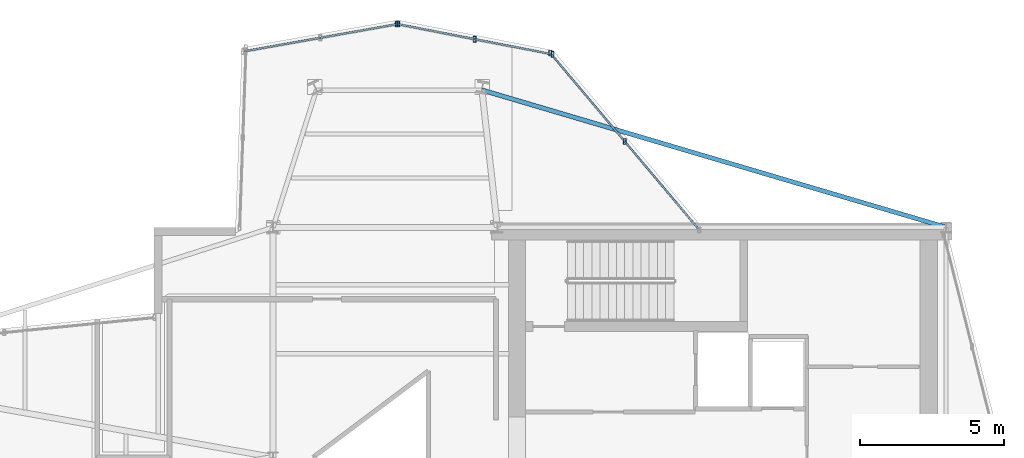
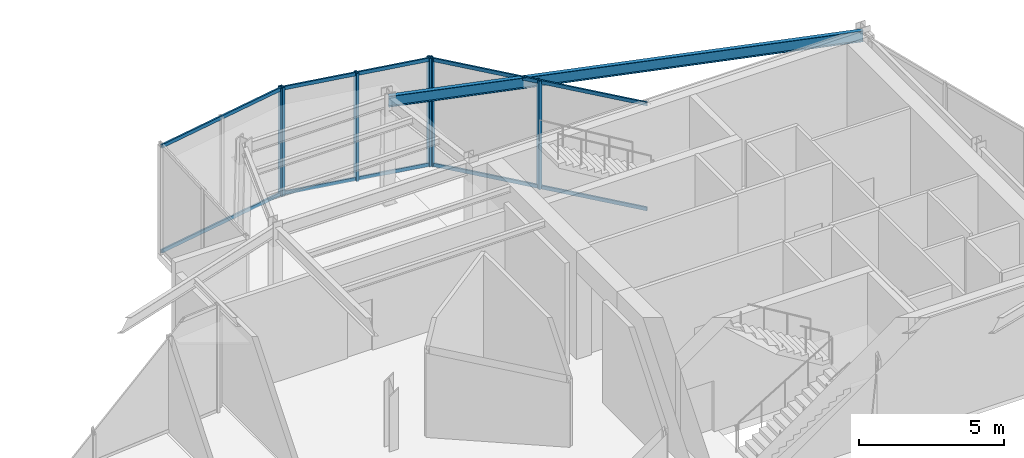
# One storey, part 7 of 15: 12 members, 1 beam, 3 elements without a shape of their own.
"""IFC4 building model written with IfcOpenShell, lengths in metres."""

from ifc_helpers import new_model, si_unit, direction, frame, origin, origin_2d, place, context, subcontext, project, spatial, hollow_rectangle, i_section, extrude, material, layer, layer_set, material_profile, profile_set, type_object, element, aggregate, save


model = new_model("IFC4")

# Units and contexts
model_context = context("Model", 3, precision=1e-05, world=origin(), true_north=direction((0.0, 1.0)))
body_context = subcontext(model_context, "Body", "Model", "MODEL_VIEW")
ifc_project = project(units=[si_unit("LENGTHUNIT", "METRE"), si_unit("AREAUNIT", "SQUARE_METRE"), si_unit("VOLUMEUNIT", "CUBIC_METRE"), si_unit("PLANEANGLEUNIT", "RADIAN"), si_unit("MASSUNIT", "GRAM", prefix="KILO")], contexts=[model_context])

# Site, building, storey
site_placement = place(None, origin())
site = spatial("IfcSite", under=ifc_project, at=site_placement, CompositionType="ELEMENT")
building_placement = place(site_placement, origin())
building = spatial("IfcBuilding", under=site, at=building_placement, Name="Veymaron Broadcast Tower", CompositionType="ELEMENT")
storey_placement = place(building_placement, frame((0.0, 0.0, 262.050048828125)))
storey = spatial("IfcBuildingStorey", under=building, at=storey_placement, Name="L61", CompositionType="ELEMENT", Elevation=262.050048828125)

# Beam
ifc_material_1 = material(Name="Structural steel ASTM A992 Gr 50", Category="steel")
ifc_material_profile_1 = material_profile(ifc_material_1, i_section(OverallWidth=0.154052734375, OverallDepth=0.458984375, WebThickness=0.009033203125, FlangeThickness=0.015380859375, at=origin_2d()), Name="W460X68")
ifc_profile_set_1 = profile_set([ifc_material_profile_1], Name="Structural steel ASTM A992 Gr 50")
beam_type = type_object("IfcBeamType", Name="BM-SP2", PredefinedType="SPANDREL", material=ifc_profile_set_1)
beam_placement = place(storey_placement, frame((54.60009765625, 32.0, 4.33056640625), z_axis=(-0.958955148663, 0.283557794556, 0.0), x_axis=(-0.283557794556, -0.958955148663, 0.0)))
element("IfcBeam", 1, at=beam_placement, inside=storey, type_object=beam_type, Name="L61 primary structural floor girder", PredefinedType="SPANDREL", context=body_context, shape_type="SweptSolid", body=[
    extrude(i_section(OverallWidth=0.154052734375, OverallDepth=0.458984375, WebThickness=0.009033203125, FlangeThickness=0.015380859375, at=origin_2d()), origin(), (0.0, 0.0, 1.0), 16.828857421875),
])

# Curtain wall, members
ifc_material_2 = material(Name="Anodised aluminium AA 6063-T6 and laminated low-E dark glass", Category="aluminium")
ifc_layer = layer(ifc_material_2, 0.179931640625)
ifc_layer_set = layer_set([ifc_layer], Name="Anodised aluminium AA 6063-T6 and laminated low-E dark glass")
curtain_wall_type = type_object("IfcCurtainWallType", Name="CW-SYS-04", PredefinedType="NOTDEFINED", material=ifc_layer_set)
curtain_wall_1_placement = place(storey_placement, origin())
curtain_wall_1 = element("IfcCurtainWall", 2, at=curtain_wall_1_placement, inside=storey, type_object=curtain_wall_type, Name="L61 dark-glass curtain wall CW-L61-E5-1", PredefinedType="NOTDEFINED")
ifc_material_3 = material(Name="Anodised aluminium AA 6063-T6", Category="aluminium")
ifc_material_profile_2 = material_profile(ifc_material_3, hollow_rectangle(XDim=0.10009765625, YDim=0.199951171875, WallThickness=0.010009765625, at=origin_2d()), Name="RHS200X100X10")
ifc_profile_set_2 = profile_set([ifc_material_profile_2], Name="Anodised aluminium AA 6063-T6")
member_type_1 = type_object("IfcMemberType", Name="CW-MUL-01", PredefinedType="MULLION", material=ifc_profile_set_2)
member_1_placement = place(storey_placement, frame((43.4267578125, 34.98583984375, 0.0), z_axis=(0.0, 0.0, 1.0), x_axis=(1.0, 0.0, 0.0)))
member_1 = element("IfcMember", 3, at=member_1_placement, type_object=member_type_1, Name="CW-L61-E5-1 mullion 1", PredefinedType="MULLION", context=body_context, shape_type="SweptSolid", body=[
    extrude(hollow_rectangle(XDim=0.10009765625, YDim=0.199951171875, WallThickness=0.010009765625, at=origin_2d()), origin(), (0.0, 0.0, 1.0), 4.56005859375),
])
member_2_placement = place(storey_placement, frame((40.834716796875, 38.061767578125, 0.0), z_axis=(0.0, 0.0, 1.0), x_axis=(1.0, 0.0, 0.0)))
member_2 = element("IfcMember", 4, at=member_2_placement, type_object=member_type_1, Name="CW-L61-E5-1 mullion 2", PredefinedType="MULLION", context=body_context, shape_type="SweptSolid", body=[
    extrude(hollow_rectangle(XDim=0.10009765625, YDim=0.199951171875, WallThickness=0.010009765625, at=origin_2d()), origin(), (0.0, 0.0, 1.0), 4.56005859375),
])

curtain_wall_2_placement = place(storey_placement, origin())
curtain_wall_2 = element("IfcCurtainWall", 5, at=curtain_wall_2_placement, inside=storey, type_object=curtain_wall_type, Name="L61 dark-glass curtain wall CW-L61-E6-1", PredefinedType="NOTDEFINED")
member_3_placement = place(storey_placement, frame((40.9150390625, 38.0146484375, 0.0), z_axis=(0.0, 0.0, 1.0), x_axis=(1.0, 0.0, 0.0)))
member_3 = element("IfcMember", 6, at=member_3_placement, type_object=member_type_1, Name="CW-L61-E6-1 mullion 0", PredefinedType="MULLION", context=body_context, shape_type="SweptSolid", body=[
    extrude(hollow_rectangle(XDim=0.10009765625, YDim=0.199951171875, WallThickness=0.010009765625, at=origin_2d()), origin(), (0.0, 0.0, 1.0), 4.56005859375),
])
member_4_placement = place(storey_placement, frame((38.2080078125, 38.54248046875, 0.0), z_axis=(0.0, 0.0, 1.0), x_axis=(1.0, 0.0, 0.0)))
member_4 = element("IfcMember", 7, at=member_4_placement, type_object=member_type_1, Name="CW-L61-E6-1 mullion 1", PredefinedType="MULLION", context=body_context, shape_type="SweptSolid", body=[
    extrude(hollow_rectangle(XDim=0.10009765625, YDim=0.199951171875, WallThickness=0.010009765625, at=origin_2d()), origin(), (0.0, 0.0, 1.0), 4.56005859375),
])
member_5_placement = place(storey_placement, frame((35.501220703125, 39.070556640625, 0.0), z_axis=(0.0, 0.0, 1.0), x_axis=(1.0, 0.0, 0.0)))
member_5 = element("IfcMember", 8, at=member_5_placement, type_object=member_type_1, Name="CW-L61-E6-1 mullion 2", PredefinedType="MULLION", context=body_context, shape_type="SweptSolid", body=[
    extrude(hollow_rectangle(XDim=0.10009765625, YDim=0.199951171875, WallThickness=0.010009765625, at=origin_2d()), origin(), (0.0, 0.0, 1.0), 4.56005859375),
])

# Curtain wall, member
curtain_wall_3_placement = place(storey_placement, origin())
curtain_wall_3 = element("IfcCurtainWall", 9, at=curtain_wall_3_placement, inside=storey, type_object=curtain_wall_type, Name="L61 dark-glass curtain wall CW-L61-E7-1", PredefinedType="NOTDEFINED")
member_6_placement = place(storey_placement, frame((35.552490234375, 39.0703125, 0.0), z_axis=(0.0, 0.0, 1.0), x_axis=(1.0, 0.0, 0.0)))
member_6 = element("IfcMember", 10, at=member_6_placement, type_object=member_type_1, Name="CW-L61-E7-1 mullion 0", PredefinedType="MULLION", context=body_context, shape_type="SweptSolid", body=[
    extrude(hollow_rectangle(XDim=0.10009765625, YDim=0.199951171875, WallThickness=0.010009765625, at=origin_2d()), origin(), (0.0, 0.0, 1.0), 4.56005859375),
])

# Member
ifc_material_profile_3 = material_profile(ifc_material_3, hollow_rectangle(XDim=0.06494140625, YDim=0.14990234375, WallThickness=0.00390625, at=origin_2d()), Name="AL150X65X4")
ifc_profile_set_3 = profile_set([ifc_material_profile_3], Name="Anodised aluminium AA 6063-T6")
member_type_2 = type_object("IfcMemberType", Name="CW-TRN-01", PredefinedType="USERDEFINED", material=ifc_profile_set_3)
member_7_placement = place(storey_placement, frame((45.986572265625, 31.947998046875, 0.070068359375), z_axis=(-0.644376063428, 0.764708760824, 0.0), x_axis=(-0.764708760824, -0.644376063428, 0.0)))
member_7 = element("IfcMember", 11, at=member_7_placement, type_object=member_type_2, Name="CW-L61-E5-1 transom B", ObjectType="TRANSOM", PredefinedType="USERDEFINED", context=body_context, shape_type="SweptSolid", body=[
    extrude(hollow_rectangle(XDim=0.06494140625, YDim=0.14990234375, WallThickness=0.00390625, at=origin_2d()), origin(), (0.0, 0.0, 1.0), 7.945068359375),
])

member_8_placement = place(storey_placement, frame((45.986572265625, 31.947998046875, 4.489990234375), z_axis=(-0.644376063428, 0.764708760824, 0.0), x_axis=(-0.764708760824, -0.644376063428, 0.0)))
member_8 = element("IfcMember", 12, at=member_8_placement, type_object=member_type_2, Name="CW-L61-E5-1 transom T", ObjectType="TRANSOM", PredefinedType="USERDEFINED", context=body_context, shape_type="SweptSolid", body=[
    extrude(hollow_rectangle(XDim=0.06494140625, YDim=0.14990234375, WallThickness=0.00390625, at=origin_2d()), origin(), (0.0, 0.0, 1.0), 7.945068359375),
])

aggregate(curtain_wall_1, [member_1, member_2, member_7, member_8])

member_9_placement = place(storey_placement, frame((40.865966796875, 38.024169921875, 0.070068359375), z_axis=(-0.981502370093, 0.191449986946, 0.0), x_axis=(-0.191449986946, -0.981502370093, 0.0)))
member_9 = element("IfcMember", 13, at=member_9_placement, type_object=member_type_2, Name="CW-L61-E6-1 transom B", ObjectType="TRANSOM", PredefinedType="USERDEFINED", context=body_context, shape_type="SweptSolid", body=[
    extrude(hollow_rectangle(XDim=0.06494140625, YDim=0.14990234375, WallThickness=0.00390625, at=origin_2d()), origin(), (0.0, 0.0, 1.0), 5.415771484375),
])

member_10_placement = place(storey_placement, frame((40.865966796875, 38.024169921875, 4.489990234375), z_axis=(-0.981502370093, 0.191449986946, 0.0), x_axis=(-0.191449986946, -0.981502370093, 0.0)))
member_10 = element("IfcMember", 14, at=member_10_placement, type_object=member_type_2, Name="CW-L61-E6-1 transom T", ObjectType="TRANSOM", PredefinedType="USERDEFINED", context=body_context, shape_type="SweptSolid", body=[
    extrude(hollow_rectangle(XDim=0.06494140625, YDim=0.14990234375, WallThickness=0.00390625, at=origin_2d()), origin(), (0.0, 0.0, 1.0), 5.415771484375),
])

aggregate(curtain_wall_2, [member_3, member_4, member_5, member_9, member_10])

member_11_placement = place(storey_placement, frame((35.503173828125, 39.0615234375, 0.070068359375), z_axis=(-0.984637064275, -0.174613434924, 0.0), x_axis=(0.174613434924, -0.984637064275, 0.0)))
member_11 = element("IfcMember", 15, at=member_11_placement, type_object=member_type_2, Name="CW-L61-E7-1 transom B", ObjectType="TRANSOM", PredefinedType="USERDEFINED", context=body_context, shape_type="SweptSolid", body=[
    extrude(hollow_rectangle(XDim=0.06494140625, YDim=0.14990234375, WallThickness=0.00390625, at=origin_2d()), origin(), (0.0, 0.0, 1.0), 5.3984375),
])

member_12_placement = place(storey_placement, frame((35.503173828125, 39.0615234375, 4.489990234375), z_axis=(-0.984637064275, -0.174613434924, 0.0), x_axis=(0.174613434924, -0.984637064275, 0.0)))
member_12 = element("IfcMember", 16, at=member_12_placement, type_object=member_type_2, Name="CW-L61-E7-1 transom T", ObjectType="TRANSOM", PredefinedType="USERDEFINED", context=body_context, shape_type="SweptSolid", body=[
    extrude(hollow_rectangle(XDim=0.06494140625, YDim=0.14990234375, WallThickness=0.00390625, at=origin_2d()), origin(), (0.0, 0.0, 1.0), 5.3984375),
])

aggregate(curtain_wall_3, [member_6, member_11, member_12])

save(model, "model.ifc")
